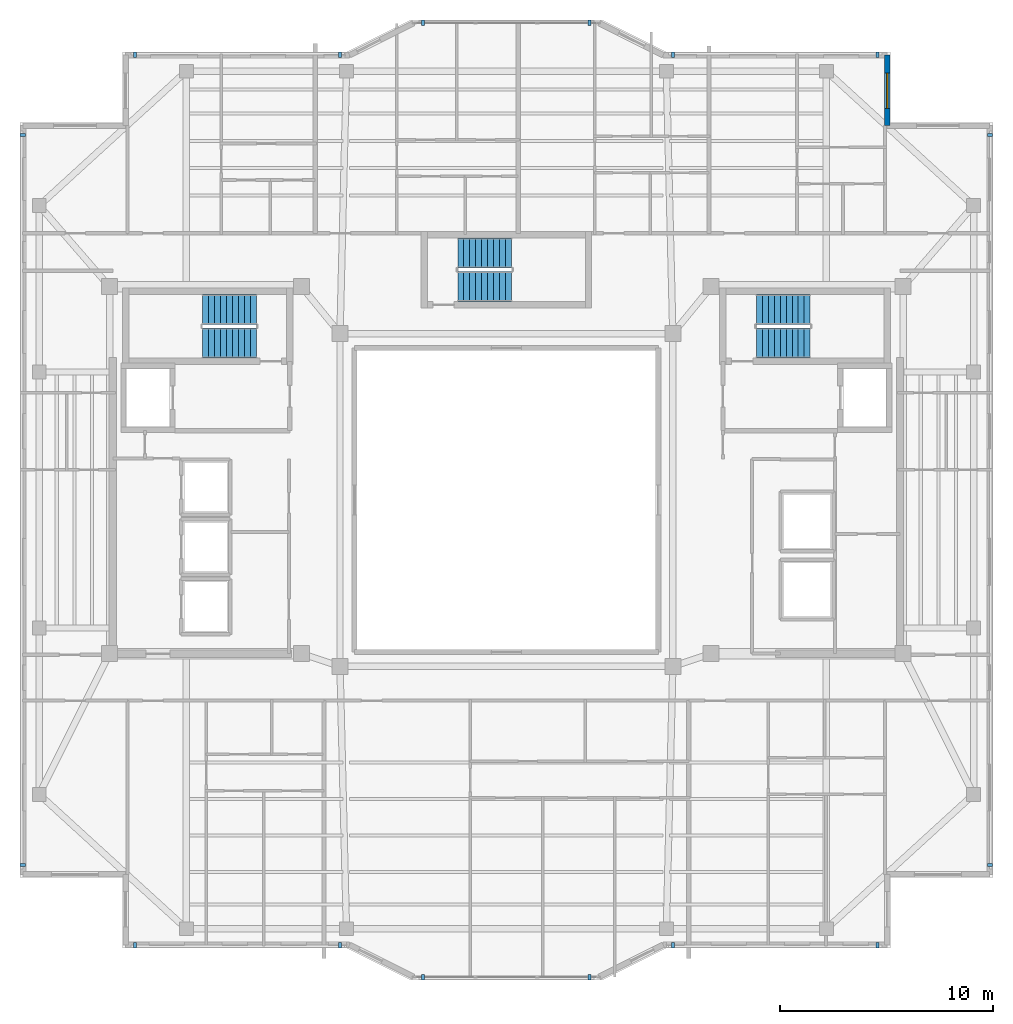
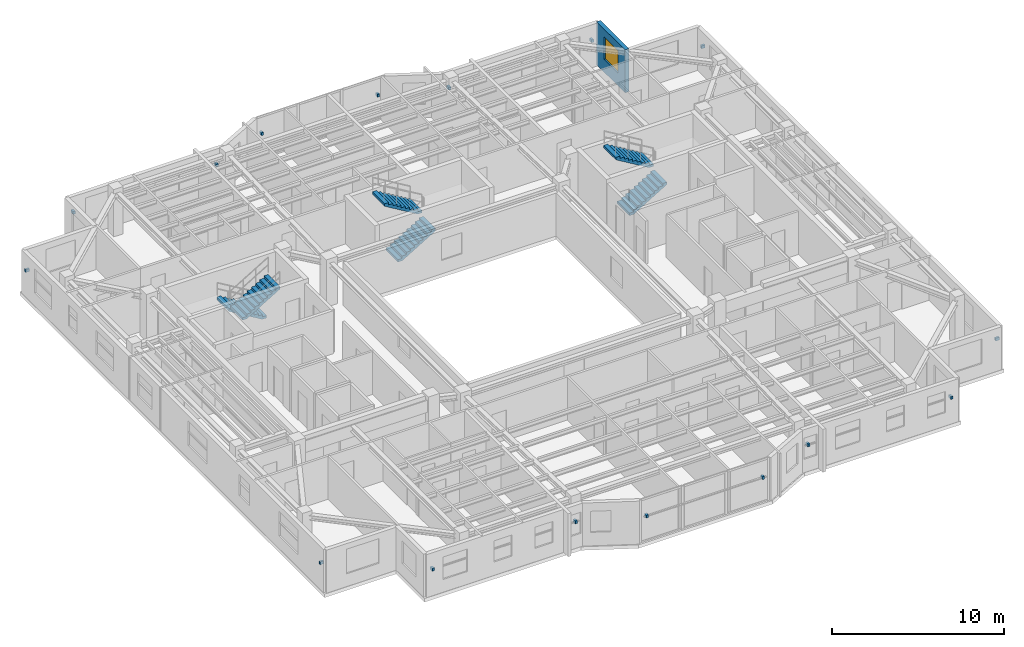
# One storey, part 12 of 15: 16 discrete accessories, 6 stair flights, 1 wall, 1 window, 1 opening, 3 elements without a shape of their own.
"""IFC4 building model written with IfcOpenShell, lengths in metres."""

import ifcopenshell
import ifcopenshell.guid

model = None  # the IFC model being written
_history = None  # IfcOwnerHistory: only IFC2X3 demands one
_inside = {}  # id of a spatial element -> (the spatial element, [elements in it])
_under = {}  # id of a project, library or spatial element -> (it, [spatial elements below it])
_declared = {}  # id of a project -> (the project, [libraries it declares])
_typed = {}  # id of a type object -> (the type object, [elements of that type])
_made_of = {}  # id of a material, layer set ... -> (it, [elements and type objects made of it])


def new_model(schema):
    """Start an empty IFC model of exactly this schema.

    Asked for "IFC4X3", IfcOpenShell would pick the latest addendum, in which some entities
    have other attributes; the version numbers below select the first issue.
    IFC2X3 requires an IfcOwnerHistory on every rooted entity: one is made here for all.
    """
    global model, _history
    if schema == "IFC4X3":
        model = ifcopenshell.file(schema_version=(4, 3, 0, 0))
    else:
        model = ifcopenshell.file(schema=schema)
    _inside.clear()
    _under.clear()
    _declared.clear()
    _typed.clear()
    _made_of.clear()
    _history = None
    if model.schema == "IFC2X3":
        org = make("IfcOrganization", Name="unknown")
        user = make(
            "IfcPersonAndOrganization",
            ThePerson=make("IfcPerson", FamilyName="unknown"),
            TheOrganization=org,
        )
        app = make(
            "IfcApplication",
            ApplicationDeveloper=org,
            Version="unknown",
            ApplicationFullName="unknown",
            ApplicationIdentifier="unknown",
        )
        _history = make(
            "IfcOwnerHistory",
            OwningUser=user,
            OwningApplication=app,
            ChangeAction="ADDED",
            CreationDate=0,
        )
    return model


def make(cls, **values):
    """One entity of the class cls with the attributes given. An attribute that is None is left unset."""
    return model.create_entity(
        cls, **{name: value for name, value in values.items() if value is not None}
    )


def rooted(cls, **values):
    """An entity with a GlobalId (a new one), such as an element, a storey or a relation."""
    return make(cls, GlobalId=ifcopenshell.guid.new(), OwnerHistory=_history, **values)


def si_unit(unit_type, name, prefix=None):
    """IfcSIUnit, for example si_unit("LENGTHUNIT", "METRE", prefix="MILLI")."""
    return make("IfcSIUnit", UnitType=unit_type, Prefix=prefix, Name=name)


def assignment(units):
    """IfcUnitAssignment: the units of a project."""
    return None if units is None else make("IfcUnitAssignment", Units=units)


def point(xyz):
    """IfcCartesianPoint."""
    return None if xyz is None else make("IfcCartesianPoint", Coordinates=xyz)


def direction(xyz):
    """IfcDirection."""
    return None if xyz is None else make("IfcDirection", DirectionRatios=xyz)


def frame(location, z_axis=None, x_axis=None):
    """IfcAxis2Placement3D, a coordinate frame: its origin and axes. An axis left out is left unset."""
    return make(
        "IfcAxis2Placement3D",
        Location=point(location),
        Axis=direction(z_axis),
        RefDirection=direction(x_axis),
    )


def frame_2d(location, x_axis=None):
    """IfcAxis2Placement2D, a coordinate frame in the plane: its origin and x axis."""
    return make(
        "IfcAxis2Placement2D", Location=point(location), RefDirection=direction(x_axis)
    )


def origin():
    """The frame at (0, 0, 0) with its axes left unset."""
    return frame((0.0, 0.0, 0.0))


def origin_2d():
    """The frame at (0, 0) in the plane with its x axis left unset."""
    return frame_2d((0.0, 0.0))


def place(relative_to, where):
    """IfcLocalPlacement: puts the frame where relative to a parent placement (None: the world)."""
    return make(
        "IfcLocalPlacement", PlacementRelTo=relative_to, RelativePlacement=where
    )


def context(
    kind, dimensions, precision=None, world=None, true_north=None, identifier=None
):
    """IfcGeometricRepresentationContext, for example the 3D "Model" context."""
    return make(
        "IfcGeometricRepresentationContext",
        ContextIdentifier=identifier,
        ContextType=kind,
        CoordinateSpaceDimension=dimensions,
        Precision=precision,
        WorldCoordinateSystem=world,
        TrueNorth=true_north,
    )


def subcontext(parent, identifier, kind, view, scale=None):
    """IfcGeometricRepresentationSubContext, for example "Body" below "Model"."""
    return make(
        "IfcGeometricRepresentationSubContext",
        ContextIdentifier=identifier,
        ContextType=kind,
        ParentContext=parent,
        TargetScale=scale,
        TargetView=view,
    )


def project(units=None, contexts=None):
    """IfcProject with its units and contexts."""
    return rooted(
        "IfcProject",
        Name="project",
        RepresentationContexts=contexts,
        UnitsInContext=assignment(units),
    )


def spatial(cls, under=None, at=None, **own):
    """A site, building, storey or space (cls), placed at a placement, below another one or the project."""
    s = rooted(cls, ObjectPlacement=at, **own)
    if under is not None:
        _under.setdefault(under.id(), (under, []))[1].append(s)
    return s


def polyline(points):
    """IfcPolyline through the points."""
    return make("IfcPolyline", Points=[point(p) for p in points])


def profile(cls, at=None, kind="AREA", **sizes):
    """A parametric profile (cls). Its sizes go by their IFC names, for example OverallWidth=200.0."""
    return make(cls, ProfileType=kind, Position=at, **sizes)


def rectangle(**sizes):
    """IfcRectangleProfileDef."""
    return profile("IfcRectangleProfileDef", **sizes)


def outline(outer, holes=None, kind="AREA"):
    """IfcArbitraryClosedProfileDef: a profile drawn as a closed curve; with holes, ...WithVoids."""
    if holes is None:
        return make("IfcArbitraryClosedProfileDef", ProfileType=kind, OuterCurve=outer)
    return make(
        "IfcArbitraryProfileDefWithVoids",
        ProfileType=kind,
        OuterCurve=outer,
        InnerCurves=holes,
    )


def extrude(swept, where, along, depth):
    """IfcExtrudedAreaSolid: the profile swept, set in the frame where, extruded along a direction by depth."""
    return make(
        "IfcExtrudedAreaSolid",
        SweptArea=swept,
        Position=where,
        ExtrudedDirection=direction(along),
        Depth=depth,
    )


def shape(context_of_items, identifier, shape_type, items):
    """IfcShapeRepresentation: the items that make up one representation, for example the "Body"."""
    return make(
        "IfcShapeRepresentation",
        ContextOfItems=context_of_items,
        RepresentationIdentifier=identifier,
        RepresentationType=shape_type,
        Items=items,
    )


def material(Name=None, Category=None):
    """IfcMaterial."""
    return make("IfcMaterial", Name=Name, Category=Category)


def layer(
    of_material, thickness, ventilated=None, Name=None, Category=None, Priority=None
):
    """IfcMaterialLayer: one layer of a wall or slab, of a material (None: an air gap)."""
    return make(
        "IfcMaterialLayer",
        Material=of_material,
        LayerThickness=thickness,
        IsVentilated=ventilated,
        Name=Name,
        Category=Category,
        Priority=Priority,
    )


def layer_set(layers, Name=None):
    """IfcMaterialLayerSet."""
    return make("IfcMaterialLayerSet", MaterialLayers=layers, LayerSetName=Name)


def made_of(thing, what):
    """Note that an element or type object is made of a material, layer set ...; save() writes the relation."""
    if what is not None:
        _made_of.setdefault(what.id(), (what, []))[1].append(thing)
    return thing


def type_object(cls, material=None, **own):
    """A type object (cls), such as IfcWallType, which elements share."""
    return made_of(rooted(cls, **own), material)


def element(
    cls,
    number,
    at=None,
    inside=None,
    cuts=None,
    type_object=None,
    material=None,
    context=None,
    identifier="Body",
    shape_type=None,
    held_by="IfcProductDefinitionShape",
    body=None,
    shapes=None,
    **own,
):
    """One element of the class cls, such as IfcWall. Its Tag is "e" and its number.

    at: its placement. inside: the storey or other place that contains it. cuts: it is an
    opening in that element (IfcRelVoidsElement). A single representation is given by context,
    identifier, shape_type and body (its items); several are given by shapes. held_by: the class
    of the entity that holds the representations. save() writes the other relations.
    """
    e = rooted(cls, Tag="e%d" % number, ObjectPlacement=at, **own)
    if body is not None:
        shapes = [shape(context, identifier, shape_type, body)]
    if shapes is not None:
        e.Representation = make(held_by, Representations=shapes)
    if inside is not None:
        _inside.setdefault(inside.id(), (inside, []))[1].append(e)
    if cuts is not None:
        rooted(
            "IfcRelVoidsElement", RelatingBuildingElement=cuts, RelatedOpeningElement=e
        )
    if type_object is not None:
        _typed.setdefault(type_object.id(), (type_object, []))[1].append(e)
    return made_of(e, material)


def fill(opening, filler):
    """IfcRelFillsElement: the door or window that sits in an opening."""
    return rooted(
        "IfcRelFillsElement",
        RelatingOpeningElement=opening,
        RelatedBuildingElement=filler,
    )


def aggregate(whole, parts):
    """IfcRelAggregates: a whole, such as a stair, and the parts it consists of."""
    return rooted("IfcRelAggregates", RelatingObject=whole, RelatedObjects=parts)


def save(model, path):
    """Write the relations noted so far, then the file.

    IfcRelAggregates (storeys below a building ...), IfcRelContainedInSpatialStructure (elements
    in a storey), IfcRelDefinesByType, IfcRelAssociatesMaterial and IfcRelDeclares: one each for
    every whole, place, type object, material and project.
    """
    for whole, parts in _under.values():
        aggregate(whole, parts)
    for where, things in _inside.values():
        rooted(
            "IfcRelContainedInSpatialStructure",
            RelatedElements=things,
            RelatingStructure=where,
        )
    for kind, things in _typed.values():
        rooted("IfcRelDefinesByType", RelatedObjects=things, RelatingType=kind)
    for what, things in _made_of.values():
        rooted("IfcRelAssociatesMaterial", RelatedObjects=things, RelatingMaterial=what)
    for by, libraries in _declared.values():
        rooted("IfcRelDeclares", RelatingContext=by, RelatedDefinitions=libraries)
    model.write(path)


model = new_model("IFC4")

# Units and contexts
model_context = context("Model", 3, precision=1e-05, world=origin(), true_north=direction((0.0, 1.0)))
body_context = subcontext(model_context, "Body", "Model", "MODEL_VIEW")
ifc_project = project(units=[si_unit("LENGTHUNIT", "METRE"), si_unit("AREAUNIT", "SQUARE_METRE"), si_unit("VOLUMEUNIT", "CUBIC_METRE"), si_unit("PLANEANGLEUNIT", "RADIAN"), si_unit("MASSUNIT", "GRAM", prefix="KILO")], contexts=[model_context])

# Site, building, storey
site_placement = place(None, origin())
site = spatial("IfcSite", under=ifc_project, at=site_placement, CompositionType="ELEMENT")
building_placement = place(site_placement, origin())
building = spatial("IfcBuilding", under=site, at=building_placement, Name="Tarnavaz Court Tower", CompositionType="ELEMENT")
storey_placement = place(building_placement, frame((0.0, 0.0, 268.300048828125)))
storey = spatial("IfcBuildingStorey", under=building, at=storey_placement, Name="L73", CompositionType="ELEMENT", Elevation=268.300048828125)

# Wall, opening, window
ifc_material_1 = material(Name="Precast Concrete C40/50", Category="concrete")
ifc_layer = layer(ifc_material_1, 0.260009765625)
ifc_layer_set = layer_set([ifc_layer], Name="Precast Concrete C40/50")
wall_type = type_object("IfcWallType", Name="WL-EXT-260", PredefinedType="SOLIDWALL", material=ifc_layer_set)
wall_placement = place(storey_placement, frame((17.85009765625, 20.85009765625, 0.0), z_axis=(0.0, 0.0, 1.0), x_axis=(0.0, -1.0, 0.0)))
wall = element("IfcWall", 1, at=wall_placement, inside=storey, type_object=wall_type, Name="L73 Exterior Terracotta Facade Wall 10", PredefinedType="SOLIDWALL", context=body_context, shape_type="SweptSolid", body=[
    extrude(rectangle(XDim=3.300048828125, YDim=0.260009765625, at=frame_2d((1.64990234375, 0.0))), origin(), (0.0, 0.0, 1.0), 3.050048828125),
])
opening_placement = place(wall_placement, frame((0.842529296875, 0.0, 0.89990234375)))
opening = element("IfcOpeningElement", 2, at=opening_placement, cuts=wall, Name="Opening W02", PredefinedType="OPENING", context=body_context, shape_type="SweptSolid", body=[
    extrude(rectangle(XDim=1.64990234375, YDim=1.60009765625, at=frame_2d((0.824951171875, 0.800048828125))), frame((0.0, 0.139892578125, 0.0), z_axis=(0.0, -1.0, 0.0), x_axis=(1.0, 0.0, 0.0)), (0.0, 0.0, 1.0), 0.280029296875),
])
ifc_material_2 = material(Name="Double-Glazed Solar Low-E Glass", Category="glass")
window_type = type_object("IfcWindowType", Name="WN-APT-1650", PartitioningType="DOUBLE_PANEL_VERTICAL", PredefinedType="WINDOW", material=ifc_material_2)
window_placement = place(opening_placement, origin())
window = element("IfcWindow", 3, at=window_placement, inside=storey, type_object=window_type, Name="L73 Flat 04 Bedroom 1 Window", OverallHeight=1.60009765625, OverallWidth=1.64990234375, PartitioningType="SINGLE_PANEL", PredefinedType="WINDOW", context=body_context, shape_type="SweptSolid", body=[
    extrude(rectangle(XDim=1.64990234375, YDim=1.60009765625, at=frame_2d((0.824951171875, 0.800048828125))), frame((0.0, 0.030029296875, 0.0), z_axis=(0.0, -1.0, 0.0), x_axis=(1.0, 0.0, 0.0)), (0.0, 0.0, 1.0), 0.06005859375),
])
fill(opening, window)

# Stair, stair flights
ifc_material_3 = material(Name="Concrete C40/50", Category="concrete")
stair_type = type_object("IfcStairType", Name="ST-TWR-20R", PredefinedType="HALF_TURN_STAIR", material=ifc_material_3)
stair_1_placement = place(storey_placement, origin())
stair_1 = element("IfcStair", 4, at=stair_1_placement, inside=storey, type_object=stair_type, Name="L73 West Core Pressurized Exit Stair ST-W1", PredefinedType="HALF_TURN_STAIR")
stair_flight_type = type_object("IfcStairFlightType", Name="SFL-RC-20R", PredefinedType="STRAIGHT", material=ifc_material_3)
stair_flight_1_placement = place(storey_placement, frame((-11.719970703125, 8.929931640625, 0.0), z_axis=(0.0, 0.0, 1.0), x_axis=(-1.0, 0.0, 0.0)))
stair_flight_1 = element("IfcStairFlight", 5, at=stair_flight_1_placement, type_object=stair_flight_type, Name="ST-W1 flight 1", NumberOfRisers=10, NumberOfTreads=9, PredefinedType="STRAIGHT", RiserHeight=0.1675, TreadLength=0.28, context=body_context, shape_type="SweptSolid", body=[
    extrude(outline(polyline([(0.0, 0.0), (0.0, 0.16748046875), (0.280029296875, 0.16748046875), (0.280029296875, 0.3349609375), (0.56005859375, 0.3349609375), (0.56005859375, 0.50244140625), (0.840087890625, 0.50244140625), (0.840087890625, 0.669921875), (1.1201171875, 0.669921875), (1.1201171875, 0.83740234375), (1.39990234375, 0.83740234375), (1.39990234375, 1.0048828125), (1.679931640625, 1.0048828125), (1.679931640625, 1.172607421875), (1.9599609375, 1.172607421875), (1.9599609375, 1.340087890625), (2.239990234375, 1.340087890625), (2.239990234375, 1.507568359375), (2.52001953125, 1.507568359375), (2.52001953125, 1.675048828125), (2.52001953125, 1.332763671875), (0.2919921875, 0.0), (0.0, 0.0)])), frame((0.0, 0.7099609375, 0.0), z_axis=(0.0, -1.0, 0.0), x_axis=(1.0, 0.0, 0.0)), (0.0, 0.0, 1.0), 1.419921875),
])
stair_flight_2_placement = place(storey_placement, frame((-14.239990234375, 7.360107421875, 1.675048828125), z_axis=(0.0, 0.0, 1.0), x_axis=(1.0, 0.0, 0.0)))
stair_flight_2 = element("IfcStairFlight", 6, at=stair_flight_2_placement, type_object=stair_flight_type, Name="ST-W1 flight 2", NumberOfRisers=10, NumberOfTreads=9, PredefinedType="STRAIGHT", RiserHeight=0.1675, TreadLength=0.28, context=body_context, shape_type="SweptSolid", body=[
    extrude(outline(polyline([(0.0, 0.0), (0.0, 0.16748046875), (0.280029296875, 0.16748046875), (0.280029296875, 0.3349609375), (0.56005859375, 0.3349609375), (0.56005859375, 0.50244140625), (0.840087890625, 0.50244140625), (0.840087890625, 0.669921875), (1.1201171875, 0.669921875), (1.1201171875, 0.83740234375), (1.39990234375, 0.83740234375), (1.39990234375, 1.0048828125), (1.679931640625, 1.0048828125), (1.679931640625, 1.172607421875), (1.9599609375, 1.172607421875), (1.9599609375, 1.340087890625), (2.239990234375, 1.340087890625), (2.239990234375, 1.507568359375), (2.52001953125, 1.507568359375), (2.52001953125, 1.675048828125), (2.52001953125, 1.332763671875), (0.2919921875, 0.0), (0.0, 0.0)])), frame((0.0, 0.7099609375, 0.0), z_axis=(0.0, -1.0, 0.0), x_axis=(1.0, 0.0, 0.0)), (0.0, 0.0, 1.0), 1.419921875),
])
aggregate(stair_1, [stair_flight_1, stair_flight_2])

stair_2_placement = place(storey_placement, origin())
stair_2 = element("IfcStair", 7, at=stair_2_placement, inside=storey, type_object=stair_type, Name="L73 East Core Pressurized Exit Stair ST-E1", PredefinedType="HALF_TURN_STAIR")
stair_flight_3_placement = place(storey_placement, frame((11.719970703125, 7.360107421875, 0.0), z_axis=(0.0, 0.0, 1.0), x_axis=(1.0, 0.0, 0.0)))
stair_flight_3 = element("IfcStairFlight", 8, at=stair_flight_3_placement, type_object=stair_flight_type, Name="ST-E1 flight 1", NumberOfRisers=10, NumberOfTreads=9, PredefinedType="STRAIGHT", RiserHeight=0.1675, TreadLength=0.28, context=body_context, shape_type="SweptSolid", body=[
    extrude(outline(polyline([(0.0, 0.0), (0.0, 0.16748046875), (0.280029296875, 0.16748046875), (0.280029296875, 0.3349609375), (0.56005859375, 0.3349609375), (0.56005859375, 0.50244140625), (0.840087890625, 0.50244140625), (0.840087890625, 0.669921875), (1.1201171875, 0.669921875), (1.1201171875, 0.83740234375), (1.39990234375, 0.83740234375), (1.39990234375, 1.0048828125), (1.679931640625, 1.0048828125), (1.679931640625, 1.172607421875), (1.9599609375, 1.172607421875), (1.9599609375, 1.340087890625), (2.239990234375, 1.340087890625), (2.239990234375, 1.507568359375), (2.52001953125, 1.507568359375), (2.52001953125, 1.675048828125), (2.52001953125, 1.332763671875), (0.2919921875, 0.0), (0.0, 0.0)])), frame((0.0, 0.7099609375, 0.0), z_axis=(0.0, -1.0, 0.0), x_axis=(1.0, 0.0, 0.0)), (0.0, 0.0, 1.0), 1.419921875),
])
stair_flight_4_placement = place(storey_placement, frame((14.239990234375, 8.929931640625, 1.675048828125), z_axis=(0.0, 0.0, 1.0), x_axis=(-1.0, 0.0, 0.0)))
stair_flight_4 = element("IfcStairFlight", 9, at=stair_flight_4_placement, type_object=stair_flight_type, Name="ST-E1 flight 2", NumberOfRisers=10, NumberOfTreads=9, PredefinedType="STRAIGHT", RiserHeight=0.1675, TreadLength=0.28, context=body_context, shape_type="SweptSolid", body=[
    extrude(outline(polyline([(0.0, 0.0), (0.0, 0.16748046875), (0.280029296875, 0.16748046875), (0.280029296875, 0.3349609375), (0.56005859375, 0.3349609375), (0.56005859375, 0.50244140625), (0.840087890625, 0.50244140625), (0.840087890625, 0.669921875), (1.1201171875, 0.669921875), (1.1201171875, 0.83740234375), (1.39990234375, 0.83740234375), (1.39990234375, 1.0048828125), (1.679931640625, 1.0048828125), (1.679931640625, 1.172607421875), (1.9599609375, 1.172607421875), (1.9599609375, 1.340087890625), (2.239990234375, 1.340087890625), (2.239990234375, 1.507568359375), (2.52001953125, 1.507568359375), (2.52001953125, 1.675048828125), (2.52001953125, 1.332763671875), (0.2919921875, 0.0), (0.0, 0.0)])), frame((0.0, 0.7099609375, 0.0), z_axis=(0.0, -1.0, 0.0), x_axis=(1.0, 0.0, 0.0)), (0.0, 0.0, 1.0), 1.419921875),
])
aggregate(stair_2, [stair_flight_3, stair_flight_4])

stair_3_placement = place(storey_placement, origin())
stair_3 = element("IfcStair", 10, at=stair_3_placement, inside=storey, type_object=stair_type, Name="L73 North Ring Pressurized Exit Stair ST-N1", PredefinedType="HALF_TURN_STAIR")
stair_flight_5_placement = place(storey_placement, frame((-2.280029296875, 10.010009765625, 0.0), z_axis=(0.0, 0.0, 1.0), x_axis=(1.0, 0.0, 0.0)))
stair_flight_5 = element("IfcStairFlight", 11, at=stair_flight_5_placement, type_object=stair_flight_type, Name="ST-N1 flight 1", NumberOfRisers=10, NumberOfTreads=9, PredefinedType="STRAIGHT", RiserHeight=0.1675, TreadLength=0.28, context=body_context, shape_type="SweptSolid", body=[
    extrude(outline(polyline([(0.0, 0.0), (0.0, 0.16748046875), (0.280029296875, 0.16748046875), (0.280029296875, 0.3349609375), (0.56005859375, 0.3349609375), (0.56005859375, 0.50244140625), (0.840087890625, 0.50244140625), (0.840087890625, 0.669921875), (1.1201171875, 0.669921875), (1.1201171875, 0.83740234375), (1.39990234375, 0.83740234375), (1.39990234375, 1.0048828125), (1.679931640625, 1.0048828125), (1.679931640625, 1.172607421875), (1.9599609375, 1.172607421875), (1.9599609375, 1.340087890625), (2.239990234375, 1.340087890625), (2.239990234375, 1.507568359375), (2.52001953125, 1.507568359375), (2.52001953125, 1.675048828125), (2.52001953125, 1.332763671875), (0.2919921875, 0.0), (0.0, 0.0)])), frame((0.0, 0.7099609375, 0.0), z_axis=(0.0, -1.0, 0.0), x_axis=(1.0, 0.0, 0.0)), (0.0, 0.0, 1.0), 1.419921875),
])
stair_flight_6_placement = place(storey_placement, frame((0.239990234375, 11.580078125, 1.675048828125), z_axis=(0.0, 0.0, 1.0), x_axis=(-1.0, 0.0, 0.0)))
stair_flight_6 = element("IfcStairFlight", 12, at=stair_flight_6_placement, type_object=stair_flight_type, Name="ST-N1 flight 2", NumberOfRisers=10, NumberOfTreads=9, PredefinedType="STRAIGHT", RiserHeight=0.1675, TreadLength=0.28, context=body_context, shape_type="SweptSolid", body=[
    extrude(outline(polyline([(0.0, 0.0), (0.0, 0.16748046875), (0.280029296875, 0.16748046875), (0.280029296875, 0.3349609375), (0.56005859375, 0.3349609375), (0.56005859375, 0.50244140625), (0.840087890625, 0.50244140625), (0.840087890625, 0.669921875), (1.1201171875, 0.669921875), (1.1201171875, 0.83740234375), (1.39990234375, 0.83740234375), (1.39990234375, 1.0048828125), (1.679931640625, 1.0048828125), (1.679931640625, 1.172607421875), (1.9599609375, 1.172607421875), (1.9599609375, 1.340087890625), (2.239990234375, 1.340087890625), (2.239990234375, 1.507568359375), (2.52001953125, 1.507568359375), (2.52001953125, 1.675048828125), (2.52001953125, 1.332763671875), (0.2919921875, 0.0), (0.0, 0.0)])), frame((0.0, 0.7099609375, 0.0), z_axis=(0.0, -1.0, 0.0), x_axis=(1.0, 0.0, 0.0)), (0.0, 0.0, 1.0), 1.419921875),
])
aggregate(stair_3, [stair_flight_5, stair_flight_6])

# Discrete accessories
ifc_material_4 = material(Name="Anodised Aluminium 6063-T6", Category="aluminium")
discrete_accessory_type = type_object("IfcDiscreteAccessoryType", Name="DA-BRKT-ALU", PredefinedType="BRACKET", material=ifc_material_4)
for number, where, z_axis, x_axis, name in (
    (13, (-22.669921875, -17.10009765625, 1.75), (0.0, 0.0, 1.0), (0.0, 1.0, 0.0), "L73 Baguette Outrigger Bracket FBG02-1"),
    (14, (-22.669921875, 17.10009765625, 1.75), (0.0, 0.0, 1.0), (0.0, 1.0, 0.0), "L73 Baguette Outrigger Bracket FBG02-2"),
    (15, (-17.39990234375, 20.8701171875, 1.75), (0.0, 0.0, 1.0), (1.0, 0.0, 0.0), "L73 Baguette Outrigger Bracket FBG05-1"),
    (16, (-7.800048828125, 20.8701171875, 1.75), (0.0, 0.0, 1.0), (1.0, 0.0, 0.0), "L73 Baguette Outrigger Bracket FBG05-2"),
    (17, (-3.89990234375, 22.3701171875, 1.7001953125), (0.0, 0.0, 1.0), (1.0, 0.0, 0.0), "L73 Baguette Outrigger Bracket PBG7-1"),
    (18, (3.89990234375, 22.3701171875, 1.7001953125), (0.0, 0.0, 1.0), (1.0, 0.0, 0.0), "L73 Baguette Outrigger Bracket PBG7-2"),
    (19, (7.800048828125, 20.8701171875, 1.75), (0.0, 0.0, 1.0), (1.0, 0.0, 0.0), "L73 Baguette Outrigger Bracket FBG09-1"),
    (20, (17.39990234375, 20.8701171875, 1.75), (0.0, 0.0, 1.0), (1.0, 0.0, 0.0), "L73 Baguette Outrigger Bracket FBG09-2"),
    (21, (22.669921875, 17.10009765625, 1.75), (0.0, 0.0, 1.0), (0.0, -1.0, 0.0), "L73 Baguette Outrigger Bracket FBG12-1"),
    (22, (22.669921875, -17.10009765625, 1.75), (0.0, 0.0, 1.0), (0.0, -1.0, 0.0), "L73 Baguette Outrigger Bracket FBG12-2"),
    (23, (17.39990234375, -20.8701171875, 1.75), (0.0, 0.0, 1.0), (-1.0, 0.0, 0.0), "L73 Baguette Outrigger Bracket FBG15-1"),
    (24, (7.800048828125, -20.8701171875, 1.75), (0.0, 0.0, 1.0), (-1.0, 0.0, 0.0), "L73 Baguette Outrigger Bracket FBG15-2"),
    (25, (3.89990234375, -22.3701171875, 1.7001953125), (0.0, 0.0, 1.0), (-1.0, 0.0, 0.0), "L73 Baguette Outrigger Bracket PBG17-1"),
    (26, (-3.89990234375, -22.3701171875, 1.7001953125), (0.0, 0.0, 1.0), (-1.0, 0.0, 0.0), "L73 Baguette Outrigger Bracket PBG17-2"),
    (27, (-7.800048828125, -20.8701171875, 1.75), (0.0, 0.0, 1.0), (-1.0, 0.0, 0.0), "L73 Baguette Outrigger Bracket FBG19-1"),
    (28, (-17.39990234375, -20.8701171875, 1.75), (0.0, 0.0, 1.0), (-1.0, 0.0, 0.0), "L73 Baguette Outrigger Bracket FBG19-2"),
):
    element("IfcDiscreteAccessory", number, at=place(storey_placement, frame(where, z_axis=z_axis, x_axis=x_axis)), inside=storey, type_object=discrete_accessory_type, Name=name, PredefinedType="BRACKET", context=body_context, shape_type="SweptSolid", body=[
        extrude(rectangle(XDim=0.139892578125, YDim=0.239990234375, at=origin_2d()), origin(), (0.0, 0.0, 1.0), 0.199951171875),
    ])

save(model, "model.ifc")
